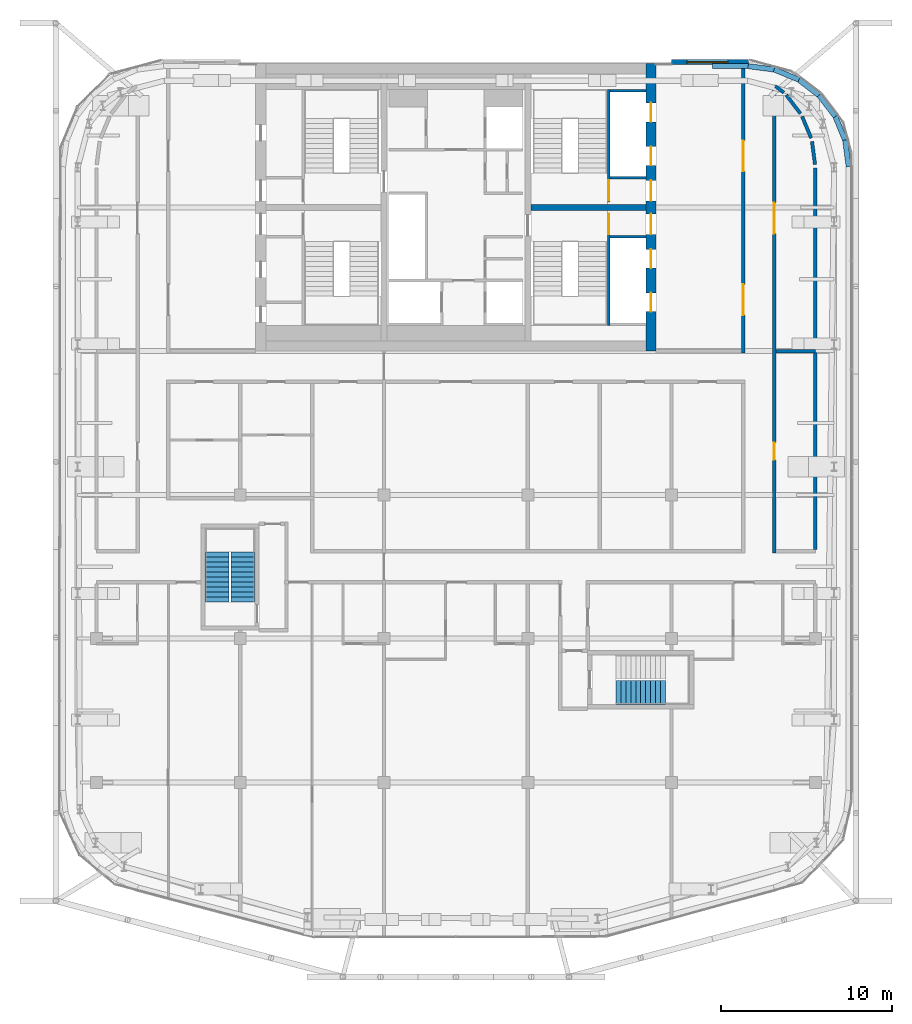
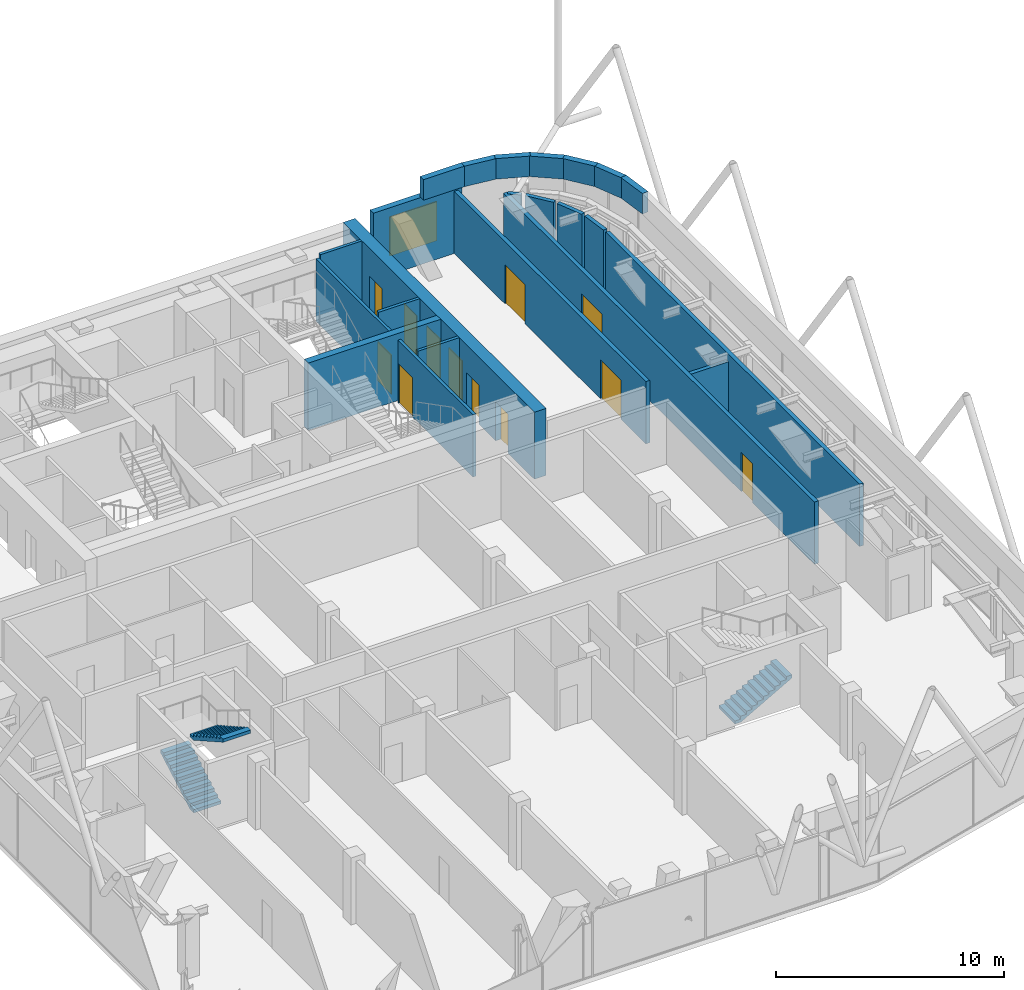
# One storey, part 23 of 25: 23 walls, 12 doors, 3 stair flights, 1 window, 13 openings, 2 elements without a shape of their own.
"""IFC4 building model written with IfcOpenShell, lengths in metres."""

import ifcopenshell
import ifcopenshell.guid

model = None  # the IFC model being written
_history = None  # IfcOwnerHistory: only IFC2X3 demands one
_inside = {}  # id of a spatial element -> (the spatial element, [elements in it])
_under = {}  # id of a project, library or spatial element -> (it, [spatial elements below it])
_declared = {}  # id of a project -> (the project, [libraries it declares])
_typed = {}  # id of a type object -> (the type object, [elements of that type])
_made_of = {}  # id of a material, layer set ... -> (it, [elements and type objects made of it])


def new_model(schema):
    """Start an empty IFC model of exactly this schema.

    Asked for "IFC4X3", IfcOpenShell would pick the latest addendum, in which some entities
    have other attributes; the version numbers below select the first issue.
    IFC2X3 requires an IfcOwnerHistory on every rooted entity: one is made here for all.
    """
    global model, _history
    if schema == "IFC4X3":
        model = ifcopenshell.file(schema_version=(4, 3, 0, 0))
    else:
        model = ifcopenshell.file(schema=schema)
    _inside.clear()
    _under.clear()
    _declared.clear()
    _typed.clear()
    _made_of.clear()
    _history = None
    if model.schema == "IFC2X3":
        org = make("IfcOrganization", Name="unknown")
        user = make(
            "IfcPersonAndOrganization",
            ThePerson=make("IfcPerson", FamilyName="unknown"),
            TheOrganization=org,
        )
        app = make(
            "IfcApplication",
            ApplicationDeveloper=org,
            Version="unknown",
            ApplicationFullName="unknown",
            ApplicationIdentifier="unknown",
        )
        _history = make(
            "IfcOwnerHistory",
            OwningUser=user,
            OwningApplication=app,
            ChangeAction="ADDED",
            CreationDate=0,
        )
    return model


def make(cls, **values):
    """One entity of the class cls with the attributes given. An attribute that is None is left unset."""
    return model.create_entity(
        cls, **{name: value for name, value in values.items() if value is not None}
    )


def rooted(cls, **values):
    """An entity with a GlobalId (a new one), such as an element, a storey or a relation."""
    return make(cls, GlobalId=ifcopenshell.guid.new(), OwnerHistory=_history, **values)


def si_unit(unit_type, name, prefix=None):
    """IfcSIUnit, for example si_unit("LENGTHUNIT", "METRE", prefix="MILLI")."""
    return make("IfcSIUnit", UnitType=unit_type, Prefix=prefix, Name=name)


def assignment(units):
    """IfcUnitAssignment: the units of a project."""
    return None if units is None else make("IfcUnitAssignment", Units=units)


def point(xyz):
    """IfcCartesianPoint."""
    return None if xyz is None else make("IfcCartesianPoint", Coordinates=xyz)


def direction(xyz):
    """IfcDirection."""
    return None if xyz is None else make("IfcDirection", DirectionRatios=xyz)


def frame(location, z_axis=None, x_axis=None):
    """IfcAxis2Placement3D, a coordinate frame: its origin and axes. An axis left out is left unset."""
    return make(
        "IfcAxis2Placement3D",
        Location=point(location),
        Axis=direction(z_axis),
        RefDirection=direction(x_axis),
    )


def frame_2d(location, x_axis=None):
    """IfcAxis2Placement2D, a coordinate frame in the plane: its origin and x axis."""
    return make(
        "IfcAxis2Placement2D", Location=point(location), RefDirection=direction(x_axis)
    )


def origin():
    """The frame at (0, 0, 0) with its axes left unset."""
    return frame((0.0, 0.0, 0.0))


def place(relative_to, where):
    """IfcLocalPlacement: puts the frame where relative to a parent placement (None: the world)."""
    return make(
        "IfcLocalPlacement", PlacementRelTo=relative_to, RelativePlacement=where
    )


def context(
    kind, dimensions, precision=None, world=None, true_north=None, identifier=None
):
    """IfcGeometricRepresentationContext, for example the 3D "Model" context."""
    return make(
        "IfcGeometricRepresentationContext",
        ContextIdentifier=identifier,
        ContextType=kind,
        CoordinateSpaceDimension=dimensions,
        Precision=precision,
        WorldCoordinateSystem=world,
        TrueNorth=true_north,
    )


def subcontext(parent, identifier, kind, view, scale=None):
    """IfcGeometricRepresentationSubContext, for example "Body" below "Model"."""
    return make(
        "IfcGeometricRepresentationSubContext",
        ContextIdentifier=identifier,
        ContextType=kind,
        ParentContext=parent,
        TargetScale=scale,
        TargetView=view,
    )


def project(units=None, contexts=None):
    """IfcProject with its units and contexts."""
    return rooted(
        "IfcProject",
        Name="project",
        RepresentationContexts=contexts,
        UnitsInContext=assignment(units),
    )


def spatial(cls, under=None, at=None, **own):
    """A site, building, storey or space (cls), placed at a placement, below another one or the project."""
    s = rooted(cls, ObjectPlacement=at, **own)
    if under is not None:
        _under.setdefault(under.id(), (under, []))[1].append(s)
    return s


def polyline(points):
    """IfcPolyline through the points."""
    return make("IfcPolyline", Points=[point(p) for p in points])


def profile(cls, at=None, kind="AREA", **sizes):
    """A parametric profile (cls). Its sizes go by their IFC names, for example OverallWidth=200.0."""
    return make(cls, ProfileType=kind, Position=at, **sizes)


def rectangle(**sizes):
    """IfcRectangleProfileDef."""
    return profile("IfcRectangleProfileDef", **sizes)


def outline(outer, holes=None, kind="AREA"):
    """IfcArbitraryClosedProfileDef: a profile drawn as a closed curve; with holes, ...WithVoids."""
    if holes is None:
        return make("IfcArbitraryClosedProfileDef", ProfileType=kind, OuterCurve=outer)
    return make(
        "IfcArbitraryProfileDefWithVoids",
        ProfileType=kind,
        OuterCurve=outer,
        InnerCurves=holes,
    )


def extrude(swept, where, along, depth):
    """IfcExtrudedAreaSolid: the profile swept, set in the frame where, extruded along a direction by depth."""
    return make(
        "IfcExtrudedAreaSolid",
        SweptArea=swept,
        Position=where,
        ExtrudedDirection=direction(along),
        Depth=depth,
    )


def shape(context_of_items, identifier, shape_type, items):
    """IfcShapeRepresentation: the items that make up one representation, for example the "Body"."""
    return make(
        "IfcShapeRepresentation",
        ContextOfItems=context_of_items,
        RepresentationIdentifier=identifier,
        RepresentationType=shape_type,
        Items=items,
    )


def material(Name=None, Category=None):
    """IfcMaterial."""
    return make("IfcMaterial", Name=Name, Category=Category)


def layer(
    of_material, thickness, ventilated=None, Name=None, Category=None, Priority=None
):
    """IfcMaterialLayer: one layer of a wall or slab, of a material (None: an air gap)."""
    return make(
        "IfcMaterialLayer",
        Material=of_material,
        LayerThickness=thickness,
        IsVentilated=ventilated,
        Name=Name,
        Category=Category,
        Priority=Priority,
    )


def layer_set(layers, Name=None):
    """IfcMaterialLayerSet."""
    return make("IfcMaterialLayerSet", MaterialLayers=layers, LayerSetName=Name)


def made_of(thing, what):
    """Note that an element or type object is made of a material, layer set ...; save() writes the relation."""
    if what is not None:
        _made_of.setdefault(what.id(), (what, []))[1].append(thing)
    return thing


def type_object(cls, material=None, **own):
    """A type object (cls), such as IfcWallType, which elements share."""
    return made_of(rooted(cls, **own), material)


def element(
    cls,
    number,
    at=None,
    inside=None,
    cuts=None,
    type_object=None,
    material=None,
    context=None,
    identifier="Body",
    shape_type=None,
    held_by="IfcProductDefinitionShape",
    body=None,
    shapes=None,
    **own,
):
    """One element of the class cls, such as IfcWall. Its Tag is "e" and its number.

    at: its placement. inside: the storey or other place that contains it. cuts: it is an
    opening in that element (IfcRelVoidsElement). A single representation is given by context,
    identifier, shape_type and body (its items); several are given by shapes. held_by: the class
    of the entity that holds the representations. save() writes the other relations.
    """
    e = rooted(cls, Tag="e%d" % number, ObjectPlacement=at, **own)
    if body is not None:
        shapes = [shape(context, identifier, shape_type, body)]
    if shapes is not None:
        e.Representation = make(held_by, Representations=shapes)
    if inside is not None:
        _inside.setdefault(inside.id(), (inside, []))[1].append(e)
    if cuts is not None:
        rooted(
            "IfcRelVoidsElement", RelatingBuildingElement=cuts, RelatedOpeningElement=e
        )
    if type_object is not None:
        _typed.setdefault(type_object.id(), (type_object, []))[1].append(e)
    return made_of(e, material)


def fill(opening, filler):
    """IfcRelFillsElement: the door or window that sits in an opening."""
    return rooted(
        "IfcRelFillsElement",
        RelatingOpeningElement=opening,
        RelatedBuildingElement=filler,
    )


def aggregate(whole, parts):
    """IfcRelAggregates: a whole, such as a stair, and the parts it consists of."""
    return rooted("IfcRelAggregates", RelatingObject=whole, RelatedObjects=parts)


def save(model, path):
    """Write the relations noted so far, then the file.

    IfcRelAggregates (storeys below a building ...), IfcRelContainedInSpatialStructure (elements
    in a storey), IfcRelDefinesByType, IfcRelAssociatesMaterial and IfcRelDeclares: one each for
    every whole, place, type object, material and project.
    """
    for whole, parts in _under.values():
        aggregate(whole, parts)
    for where, things in _inside.values():
        rooted(
            "IfcRelContainedInSpatialStructure",
            RelatedElements=things,
            RelatingStructure=where,
        )
    for kind, things in _typed.values():
        rooted("IfcRelDefinesByType", RelatedObjects=things, RelatingType=kind)
    for what, things in _made_of.values():
        rooted("IfcRelAssociatesMaterial", RelatedObjects=things, RelatingMaterial=what)
    for by, libraries in _declared.values():
        rooted("IfcRelDeclares", RelatingContext=by, RelatedDefinitions=libraries)
    model.write(path)


model = new_model("IFC4")

# Units and contexts
model_context = context("Model", 3, precision=1e-05, world=origin(), true_north=direction((0.0, 1.0)))
body_context = subcontext(model_context, "Body", "Model", "MODEL_VIEW")
ifc_project = project(units=[si_unit("LENGTHUNIT", "METRE"), si_unit("AREAUNIT", "SQUARE_METRE"), si_unit("VOLUMEUNIT", "CUBIC_METRE"), si_unit("PLANEANGLEUNIT", "RADIAN"), si_unit("MASSUNIT", "GRAM", prefix="KILO")], contexts=[model_context])

# Site, building, storey
site_placement = place(None, origin())
site = spatial("IfcSite", under=ifc_project, at=site_placement, CompositionType="ELEMENT")
building_placement = place(site_placement, origin())
building = spatial("IfcBuilding", under=site, at=building_placement, Name="Marenta Gate Hotel Tower", CompositionType="ELEMENT")
storey_placement = place(building_placement, frame((0.0, 0.0, 277.699951171875)))
storey = spatial("IfcBuildingStorey", under=building, at=storey_placement, Name="L64", CompositionType="ELEMENT", Elevation=277.699951171875)

# Wall, opening, window
ifc_material_1 = material(Name="Concrete C40 board-marked", Category="concrete")
ifc_layer_1 = layer(ifc_material_1, 0.300048828125)
ifc_layer_set_1 = layer_set([ifc_layer_1], Name="Concrete C40 board-marked")
wall_type_1 = type_object("IfcWallType", Name="Board-marked concrete wall 300 mm", PredefinedType="NOTDEFINED", material=ifc_layer_set_1)
wall_1_placement = place(storey_placement, frame((17.10595703125, 16.889892578125, 0.0), z_axis=(0.0, 0.0, 1.0), x_axis=(-1.0, 0.0, 0.0)))
wall_1 = element("IfcWall", 1, at=wall_1_placement, inside=storey, type_object=wall_type_1, Name="L64-CLD-N00", PredefinedType="NOTDEFINED", context=body_context, shape_type="SweptSolid", body=[
    extrude(rectangle(XDim=4.505859375, YDim=0.300048828125, at=frame_2d((2.2529296875, 0.0))), origin(), (0.0, 0.0, 1.0), 3.60009765625),
])
opening_1_placement = place(wall_1_placement, frame((1.205810546875, 0.0, 0.89990234375)))
opening_1 = element("IfcOpeningElement", 2, at=opening_1_placement, cuts=wall_1, Name="Opening W1", PredefinedType="OPENING", context=body_context, shape_type="SweptSolid", body=[
    extrude(rectangle(XDim=2.39990234375, YDim=2.10009765625, at=frame_2d((1.199951171875, 1.050048828125))), frame((0.0, 0.14990234375, 0.0), z_axis=(0.0, -1.0, 0.0), x_axis=(1.0, 0.0, 0.0)), (0.0, 0.0, 1.0), 0.300048828125),
])
ifc_material_2 = material(Name="Tinted insulated glass in bronze anodised frame", Category="glass")
window_type = type_object("IfcWindowType", Name="Window W1 2400x2100 bronze frame", PartitioningType="SINGLE_PANEL", PredefinedType="WINDOW", material=ifc_material_2)
window_placement = place(opening_1_placement, origin())
window = element("IfcWindow", 3, at=window_placement, inside=storey, type_object=window_type, Name="Window W1", OverallHeight=2.10009765625, OverallWidth=2.39990234375, PartitioningType="SINGLE_PANEL", PredefinedType="WINDOW", context=body_context, shape_type="SweptSolid", body=[
    extrude(rectangle(XDim=2.39990234375, YDim=2.10009765625, at=frame_2d((1.199951171875, 1.050048828125))), frame((0.0, 0.030029296875, 0.0), z_axis=(0.0, -1.0, 0.0), x_axis=(1.0, 0.0, 0.0)), (0.0, 0.0, 1.0), 0.06005859375),
])
fill(opening_1, window)

# Wall, openings, doors
ifc_material_3 = material(Name="Concrete blockwork", Category="masonry")
ifc_layer_2 = layer(ifc_material_3, 0.199951171875)
ifc_layer_set_2 = layer_set([ifc_layer_2], Name="Concrete blockwork")
wall_type_2 = type_object("IfcWallType", Name="Core boundary wall 200 REI 180", PredefinedType="PARTITIONING", material=ifc_layer_set_2)
wall_2_placement = place(storey_placement, frame((16.800048828125, -0.10009765625, 0.0), z_axis=(0.0, 0.0, 1.0), x_axis=(0.0, 1.0, 0.0)))
wall_2 = element("IfcWall", 4, at=wall_2_placement, inside=storey, type_object=wall_type_2, Name="L64-CP-BW-E", PredefinedType="PARTITIONING", context=body_context, shape_type="SweptSolid", body=[
    extrude(rectangle(XDim=17.0, YDim=0.199951171875, at=frame_2d((8.5, 0.0))), origin(), (0.0, 0.0, 1.0), 3.340087890625),
])
opening_2_placement = place(wall_2_placement, frame((2.199951171875, 0.0, 0.0)))
opening_2 = element("IfcOpeningElement", 5, at=opening_2_placement, cuts=wall_2, Name="Opening ED-Ea-B", PredefinedType="OPENING", context=body_context, shape_type="SweptSolid", body=[
    extrude(rectangle(XDim=1.800048828125, YDim=2.10009765625, at=frame_2d((0.89990234375, 1.050048828125))), frame((0.0, 0.10009765625, 0.0), z_axis=(0.0, -1.0, 0.0), x_axis=(1.0, 0.0, 0.0)), (0.0, 0.0, 1.0), 0.199951171875),
])
opening_3_placement = place(wall_2_placement, frame((10.60009765625, 0.0, 0.0)))
opening_3 = element("IfcOpeningElement", 6, at=opening_3_placement, cuts=wall_2, Name="Opening ED-Eb-B", PredefinedType="OPENING", context=body_context, shape_type="SweptSolid", body=[
    extrude(rectangle(XDim=1.800048828125, YDim=2.10009765625, at=frame_2d((0.89990234375, 1.050048828125))), frame((0.0, 0.10009765625, 0.0), z_axis=(0.0, -1.0, 0.0), x_axis=(1.0, 0.0, 0.0)), (0.0, 0.0, 1.0), 0.199951171875),
])
ifc_material_4 = material(Name="Steel", Category="steel")
door_type_1 = type_object("IfcDoorType", Name="Core lobby entrance door 1800x2100 EI 60", OperationType="DOUBLE_DOOR_SINGLE_SWING", PredefinedType="DOOR", material=ifc_material_4)
door_1_placement = place(opening_2_placement, origin())
door_1 = element("IfcDoor", 7, at=door_1_placement, inside=storey, type_object=door_type_1, Name="ED-Ea-B", OperationType="DOUBLE_DOOR_SINGLE_SWING", OverallHeight=2.10009765625, OverallWidth=1.800048828125, PredefinedType="DOOR", context=body_context, shape_type="SweptSolid", body=[
    extrude(rectangle(XDim=1.800048828125, YDim=2.10009765625, at=frame_2d((0.89990234375, 1.050048828125))), frame((0.0, 0.02490234375, 0.0), z_axis=(0.0, -1.0, 0.0), x_axis=(1.0, 0.0, 0.0)), (0.0, 0.0, 1.0), 0.050048828125),
])
fill(opening_2, door_1)
door_2_placement = place(opening_3_placement, origin())
door_2 = element("IfcDoor", 8, at=door_2_placement, inside=storey, type_object=door_type_1, Name="ED-Eb-B", OperationType="DOUBLE_DOOR_SINGLE_SWING", OverallHeight=2.10009765625, OverallWidth=1.800048828125, PredefinedType="DOOR", context=body_context, shape_type="SweptSolid", body=[
    extrude(rectangle(XDim=1.800048828125, YDim=2.10009765625, at=frame_2d((0.89990234375, 1.050048828125))), frame((0.0, 0.02490234375, 0.0), z_axis=(0.0, -1.0, 0.0), x_axis=(1.0, 0.0, 0.0)), (0.0, 0.0, 1.0), 0.050048828125),
])
fill(opening_3, door_2)

# Walls
ifc_material_5 = material(Name="Concrete C40", Category="concrete")
ifc_layer_3 = layer(ifc_material_5, 0.14990234375)
ifc_layer_set_3 = layer_set([ifc_layer_3], Name="Concrete C40")
wall_type_3 = type_object("IfcWallType", Name="Core shaft wall 150 REI 180", PredefinedType="SHEAR", material=ifc_layer_set_3)
for number, where, z_axis, x_axis, name in (
    (9, (9.0, 6.675048828125, 0.0), (0.0, 0.0, 1.0), (1.0, 0.0, 0.0), "L64-SHF-SW-ES-2"),
    (10, (9.0, 10.125, 0.0), (0.0, 0.0, 1.0), (1.0, 0.0, 0.0), "L64-SHF-SW-EN-2"),
    (11, (9.0, 15.22509765625, 0.0), (0.0, 0.0, 1.0), (1.0, 0.0, 0.0), "L64-SHF-SW-EN-5"),
):
    element("IfcWall", number, at=place(storey_placement, frame(where, z_axis=z_axis, x_axis=x_axis)), inside=storey, type_object=wall_type_3, Name=name, PredefinedType="SHEAR", context=body_context, shape_type="SweptSolid", body=[
        extrude(rectangle(XDim=2.10009765625, YDim=0.14990234375, at=frame_2d((1.050048828125, 0.0))), origin(), (0.0, 0.0, 1.0), 3.60009765625),
    ])

# Wall, opening, door
ifc_material_6 = material(Name="Concrete C40", Category="concrete")
ifc_layer_4 = layer(ifc_material_6, 0.14990234375)
ifc_layer_set_4 = layer_set([ifc_layer_4], Name="Concrete C40")
wall_type_4 = type_object("IfcWallType", Name="Core stair enclosure wall 150 REI 180", PredefinedType="SHEAR", material=ifc_layer_set_4)
wall_3_placement = place(storey_placement, frame((8.925048828125, 1.5, 0.0), z_axis=(0.0, 0.0, 1.0), x_axis=(0.0, 1.0, 0.0)))
wall_3 = element("IfcWall", 12, at=wall_3_placement, inside=storey, type_object=wall_type_4, Name="L64-SHF-SW-ES-3", PredefinedType="SHEAR", context=body_context, shape_type="SweptSolid", body=[
    extrude(rectangle(XDim=6.60009765625, YDim=0.14990234375, at=frame_2d((3.300048828125, 0.0))), origin(), (0.0, 0.0, 1.0), 3.340087890625),
])
opening_4_placement = place(wall_3_placement, frame((5.324951171875, 0.0, 0.0)))
opening_4 = element("IfcOpeningElement", 13, at=opening_4_placement, cuts=wall_3, Name="Opening SD-ES", PredefinedType="OPENING", context=body_context, shape_type="SweptSolid", body=[
    extrude(rectangle(XDim=1.199951171875, YDim=2.10009765625, at=frame_2d((0.60009765625, 1.050048828125))), frame((0.0, 0.074951171875, 0.0), z_axis=(0.0, -1.0, 0.0), x_axis=(1.0, 0.0, 0.0)), (0.0, 0.0, 1.0), 0.14990234375),
])
ifc_material_7 = material(Name="Steel", Category="steel")
door_type_2 = type_object("IfcDoorType", Name="Core stair door 1200x2100 FD60", OperationType="SINGLE_SWING_LEFT", PredefinedType="DOOR", material=ifc_material_7)
door_3_placement = place(opening_4_placement, origin())
door_3 = element("IfcDoor", 14, at=door_3_placement, inside=storey, type_object=door_type_2, Name="SD-ES", OperationType="SINGLE_SWING_LEFT", OverallHeight=2.10009765625, OverallWidth=1.199951171875, PredefinedType="DOOR", context=body_context, shape_type="SweptSolid", body=[
    extrude(rectangle(XDim=1.199951171875, YDim=2.10009765625, at=frame_2d((0.60009765625, 1.050048828125))), frame((0.0, 0.02490234375, 0.0), z_axis=(0.0, -1.0, 0.0), x_axis=(1.0, 0.0, 0.0)), (0.0, 0.0, 1.0), 0.050048828125),
])
fill(opening_4, door_3)

wall_4_placement = place(storey_placement, frame((8.925048828125, 8.699951171875, 0.0), z_axis=(0.0, 0.0, 1.0), x_axis=(0.0, 1.0, 0.0)))
wall_4 = element("IfcWall", 15, at=wall_4_placement, inside=storey, type_object=wall_type_4, Name="L64-SHF-SW-EN-3", PredefinedType="SHEAR", context=body_context, shape_type="SweptSolid", body=[
    extrude(rectangle(XDim=6.60009765625, YDim=0.14990234375, at=frame_2d((3.300048828125, 0.0))), origin(), (0.0, 0.0, 1.0), 3.340087890625),
])
opening_5_placement = place(wall_4_placement, frame((0.074951171875, 0.0, 0.0)))
opening_5 = element("IfcOpeningElement", 16, at=opening_5_placement, cuts=wall_4, Name="Opening SD-EN", PredefinedType="OPENING", context=body_context, shape_type="SweptSolid", body=[
    extrude(rectangle(XDim=1.199951171875, YDim=2.10009765625, at=frame_2d((0.60009765625, 1.050048828125))), frame((0.0, 0.074951171875, 0.0), z_axis=(0.0, -1.0, 0.0), x_axis=(1.0, 0.0, 0.0)), (0.0, 0.0, 1.0), 0.14990234375),
])
door_4_placement = place(opening_5_placement, origin())
door_4 = element("IfcDoor", 17, at=door_4_placement, inside=storey, type_object=door_type_2, Name="SD-EN", OperationType="SINGLE_SWING_LEFT", OverallHeight=2.10009765625, OverallWidth=1.199951171875, PredefinedType="DOOR", context=body_context, shape_type="SweptSolid", body=[
    extrude(rectangle(XDim=1.199951171875, YDim=2.10009765625, at=frame_2d((0.60009765625, 1.050048828125))), frame((0.0, 0.02490234375, 0.0), z_axis=(0.0, -1.0, 0.0), x_axis=(1.0, 0.0, 0.0)), (0.0, 0.0, 1.0), 0.050048828125),
])
fill(opening_5, door_4)

# Wall, openings, doors
ifc_material_8 = material(Name="Concrete C50", Category="concrete")
ifc_layer_5 = layer(ifc_material_8, 0.60009765625)
ifc_layer_set_5 = layer_set([ifc_layer_5], Name="Concrete C50")
wall_type_5 = type_object("IfcWallType", Name="Core wall 600 C50", PredefinedType="SHEAR", material=ifc_layer_set_5)
wall_5_placement = place(storey_placement, frame((11.39990234375, 0.0, 0.0), z_axis=(0.0, 0.0, 1.0), x_axis=(0.0, 1.0, 0.0)))
wall_5 = element("IfcWall", 18, at=wall_5_placement, inside=storey, type_object=wall_type_5, Name="L64-CORE-E", PredefinedType="SHEAR", context=body_context, shape_type="SweptSolid", body=[
    extrude(rectangle(XDim=16.800048828125, YDim=0.60009765625, at=frame_2d((8.39990234375, 0.0))), origin(), (0.0, 0.0, 1.0), 3.60009765625),
])
opening_6_placement = place(wall_5_placement, frame((2.300048828125, 0.0, 0.0)))
opening_6 = element("IfcOpeningElement", 19, at=opening_6_placement, cuts=wall_5, Name="Opening LD-HR1", PredefinedType="OPENING", context=body_context, shape_type="SweptSolid", body=[
    extrude(rectangle(XDim=1.10009765625, YDim=2.10009765625, at=frame_2d((0.550048828125, 1.050048828125))), frame((0.0, 0.300048828125, 0.0), z_axis=(0.0, -1.0, 0.0), x_axis=(1.0, 0.0, 0.0)), (0.0, 0.0, 1.0), 0.60009765625),
])
opening_7_placement = place(wall_5_placement, frame((4.85009765625, 0.0, 0.0)))
opening_7 = element("IfcOpeningElement", 20, at=opening_7_placement, cuts=wall_5, Name="Opening LD-HR2", PredefinedType="OPENING", context=body_context, shape_type="SweptSolid", body=[
    extrude(rectangle(XDim=1.10009765625, YDim=2.10009765625, at=frame_2d((0.550048828125, 1.050048828125))), frame((0.0, 0.300048828125, 0.0), z_axis=(0.0, -1.0, 0.0), x_axis=(1.0, 0.0, 0.0)), (0.0, 0.0, 1.0), 0.60009765625),
])
opening_8_placement = place(wall_5_placement, frame((6.824951171875, 0.0, 0.0)))
opening_8 = element("IfcOpeningElement", 21, at=opening_8_placement, cuts=wall_5, Name="Opening PD-ES", PredefinedType="OPENING", context=body_context, shape_type="SweptSolid", body=[
    extrude(rectangle(XDim=1.199951171875, YDim=2.10009765625, at=frame_2d((0.60009765625, 1.050048828125))), frame((0.0, 0.300048828125, 0.0), z_axis=(0.0, -1.0, 0.0), x_axis=(1.0, 0.0, 0.0)), (0.0, 0.0, 1.0), 0.60009765625),
])
opening_9_placement = place(wall_5_placement, frame((13.39990234375, 0.0, 0.0)))
opening_9 = element("IfcOpeningElement", 22, at=opening_9_placement, cuts=wall_5, Name="Opening LD-HR4", PredefinedType="OPENING", context=body_context, shape_type="SweptSolid", body=[
    extrude(rectangle(XDim=1.10009765625, YDim=2.10009765625, at=frame_2d((0.550048828125, 1.050048828125))), frame((0.0, 0.300048828125, 0.0), z_axis=(0.0, -1.0, 0.0), x_axis=(1.0, 0.0, 0.0)), (0.0, 0.0, 1.0), 0.60009765625),
])
opening_10_placement = place(wall_5_placement, frame((10.85009765625, 0.0, 0.0)))
opening_10 = element("IfcOpeningElement", 23, at=opening_10_placement, cuts=wall_5, Name="Opening LD-HR3", PredefinedType="OPENING", context=body_context, shape_type="SweptSolid", body=[
    extrude(rectangle(XDim=1.10009765625, YDim=2.10009765625, at=frame_2d((0.550048828125, 1.050048828125))), frame((0.0, 0.300048828125, 0.0), z_axis=(0.0, -1.0, 0.0), x_axis=(1.0, 0.0, 0.0)), (0.0, 0.0, 1.0), 0.60009765625),
])
opening_11_placement = place(wall_5_placement, frame((8.77490234375, 0.0, 0.0)))
opening_11 = element("IfcOpeningElement", 24, at=opening_11_placement, cuts=wall_5, Name="Opening PD-EN", PredefinedType="OPENING", context=body_context, shape_type="SweptSolid", body=[
    extrude(rectangle(XDim=1.199951171875, YDim=2.10009765625, at=frame_2d((0.60009765625, 1.050048828125))), frame((0.0, 0.300048828125, 0.0), z_axis=(0.0, -1.0, 0.0), x_axis=(1.0, 0.0, 0.0)), (0.0, 0.0, 1.0), 0.60009765625),
])
ifc_material_9 = material(Name="Steel", Category="steel")
door_type_3 = type_object("IfcDoorType", Name="Core lift landing door 1100x2100 E 60", OperationType="SLIDING_TO_LEFT", PredefinedType="DOOR", material=ifc_material_9)
door_5_placement = place(opening_6_placement, origin())
door_5 = element("IfcDoor", 25, at=door_5_placement, inside=storey, type_object=door_type_3, Name="LD-HR1", OperationType="SLIDING_TO_LEFT", OverallHeight=2.10009765625, OverallWidth=1.10009765625, PredefinedType="DOOR", context=body_context, shape_type="SweptSolid", body=[
    extrude(rectangle(XDim=1.10009765625, YDim=2.10009765625, at=frame_2d((0.550048828125, 1.050048828125))), frame((0.0, 0.02490234375, 0.0), z_axis=(0.0, -1.0, 0.0), x_axis=(1.0, 0.0, 0.0)), (0.0, 0.0, 1.0), 0.050048828125),
])
fill(opening_6, door_5)
door_6_placement = place(opening_7_placement, origin())
door_6 = element("IfcDoor", 26, at=door_6_placement, inside=storey, type_object=door_type_3, Name="LD-HR2", OperationType="SLIDING_TO_LEFT", OverallHeight=2.10009765625, OverallWidth=1.10009765625, PredefinedType="DOOR", context=body_context, shape_type="SweptSolid", body=[
    extrude(rectangle(XDim=1.10009765625, YDim=2.10009765625, at=frame_2d((0.550048828125, 1.050048828125))), frame((0.0, 0.02490234375, 0.0), z_axis=(0.0, -1.0, 0.0), x_axis=(1.0, 0.0, 0.0)), (0.0, 0.0, 1.0), 0.050048828125),
])
fill(opening_7, door_6)
door_7_placement = place(opening_9_placement, origin())
door_7 = element("IfcDoor", 27, at=door_7_placement, inside=storey, type_object=door_type_3, Name="LD-HR4", OperationType="SLIDING_TO_LEFT", OverallHeight=2.10009765625, OverallWidth=1.10009765625, PredefinedType="DOOR", context=body_context, shape_type="SweptSolid", body=[
    extrude(rectangle(XDim=1.10009765625, YDim=2.10009765625, at=frame_2d((0.550048828125, 1.050048828125))), frame((0.0, 0.02490234375, 0.0), z_axis=(0.0, -1.0, 0.0), x_axis=(1.0, 0.0, 0.0)), (0.0, 0.0, 1.0), 0.050048828125),
])
fill(opening_9, door_7)
door_8_placement = place(opening_10_placement, origin())
door_8 = element("IfcDoor", 28, at=door_8_placement, inside=storey, type_object=door_type_3, Name="LD-HR3", OperationType="SLIDING_TO_LEFT", OverallHeight=2.10009765625, OverallWidth=1.10009765625, PredefinedType="DOOR", context=body_context, shape_type="SweptSolid", body=[
    extrude(rectangle(XDim=1.10009765625, YDim=2.10009765625, at=frame_2d((0.550048828125, 1.050048828125))), frame((0.0, 0.02490234375, 0.0), z_axis=(0.0, -1.0, 0.0), x_axis=(1.0, 0.0, 0.0)), (0.0, 0.0, 1.0), 0.050048828125),
])
fill(opening_10, door_8)
ifc_material_10 = material(Name="Steel", Category="steel")
door_type_4 = type_object("IfcDoorType", Name="Core lobby door 1200x2100 FD60", OperationType="SINGLE_SWING_LEFT", PredefinedType="DOOR", material=ifc_material_10)
door_9_placement = place(opening_8_placement, origin())
door_9 = element("IfcDoor", 29, at=door_9_placement, inside=storey, type_object=door_type_4, Name="PD-ES", OperationType="SINGLE_SWING_LEFT", OverallHeight=2.10009765625, OverallWidth=1.199951171875, PredefinedType="DOOR", context=body_context, shape_type="SweptSolid", body=[
    extrude(rectangle(XDim=1.199951171875, YDim=2.10009765625, at=frame_2d((0.60009765625, 1.050048828125))), frame((0.0, 0.02490234375, 0.0), z_axis=(0.0, -1.0, 0.0), x_axis=(1.0, 0.0, 0.0)), (0.0, 0.0, 1.0), 0.050048828125),
])
fill(opening_8, door_9)
door_10_placement = place(opening_11_placement, origin())
door_10 = element("IfcDoor", 30, at=door_10_placement, inside=storey, type_object=door_type_4, Name="PD-EN", OperationType="SINGLE_SWING_LEFT", OverallHeight=2.10009765625, OverallWidth=1.199951171875, PredefinedType="DOOR", context=body_context, shape_type="SweptSolid", body=[
    extrude(rectangle(XDim=1.199951171875, YDim=2.10009765625, at=frame_2d((0.60009765625, 1.050048828125))), frame((0.0, 0.02490234375, 0.0), z_axis=(0.0, -1.0, 0.0), x_axis=(1.0, 0.0, 0.0)), (0.0, 0.0, 1.0), 0.050048828125),
])
fill(opening_11, door_10)

# Walls
ifc_material_11 = material(Name="Concrete C50", Category="concrete")
ifc_layer_6 = layer(ifc_material_11, 0.35009765625)
ifc_layer_set_6 = layer_set([ifc_layer_6], Name="Concrete C50")
wall_type_6 = type_object("IfcWallType", Name="Core web 350 C50", PredefinedType="SHEAR", material=ifc_layer_set_6)
wall_6_placement = place(storey_placement, frame((4.375, 8.39990234375, 0.0), z_axis=(0.0, 0.0, 1.0), x_axis=(1.0, 0.0, 0.0)))
element("IfcWall", 31, at=wall_6_placement, inside=storey, type_object=wall_type_6, Name="L64-CORE-W4", PredefinedType="SHEAR", context=body_context, shape_type="SweptSolid", body=[
    extrude(rectangle(XDim=6.72509765625, YDim=0.35009765625, at=frame_2d((3.362548828125, 0.0))), origin(), (0.0, 0.0, 1.0), 3.60009765625),
])
ifc_material_12 = material(Name="Concrete C40 board-marked", Category="concrete")
ifc_layer_7 = layer(ifc_material_12, 0.300048828125)
ifc_layer_set_7 = layer_set([ifc_layer_7], Name="Concrete C40 board-marked")
wall_type_7 = type_object("IfcWallType", Name="Parapet 300 mm board-marked concrete", PredefinedType="PARAPET", material=ifc_layer_set_7)
wall_7_placement = place(storey_placement, frame((17.080322265625, 16.6513671875, 3.60009765625), z_axis=(0.0, 0.0, 1.0), x_axis=(0.991453765022, -0.130458544462, 0.0)))
element("IfcWall", 32, at=wall_7_placement, inside=storey, type_object=wall_type_7, Name="L64-PAR-10000", PredefinedType="PARAPET", context=body_context, shape_type="SweptSolid", body=[
    extrude(rectangle(XDim=1.56640625, YDim=0.300048828125, at=frame_2d((0.783203125, 0.0))), origin(), (0.0, 0.0, 1.0), 1.099853515625),
])
for number, where, z_axis, x_axis, name in (
    (33, (18.595458984375, 16.45703125, 3.60009765625), (0.0, 0.0, 1.0), (0.923881945474, -0.382677606907, 0.0), "L64-PAR-10010"),
    (34, (20.0087890625, 15.877197265625, 3.60009765625), (0.0, 0.0, 1.0), (0.793272556524, -0.608866694003, 0.0), "L64-PAR-10020"),
):
    element("IfcWall", number, at=place(storey_placement, frame(where, z_axis=z_axis, x_axis=x_axis)), inside=storey, type_object=wall_type_7, Name=name, PredefinedType="PARAPET", context=body_context, shape_type="SweptSolid", body=[
        extrude(rectangle(XDim=1.566162109375, YDim=0.300048828125, at=frame_2d((0.783203125, 0.0))), origin(), (0.0, 0.0, 1.0), 1.099853515625),
    ])
for number, where, z_axis, x_axis, name in (
    (35, (21.2236328125, 14.951416015625, 3.60009765625), (0.0, 0.0, 1.0), (0.608791411033, -0.793330333374, 0.0), "L64-PAR-10030"),
    (36, (22.15771484375, 13.74267578125, 3.60009765625), (0.0, 0.0, 1.0), (0.382622504077, -0.923904767481, 0.0), "L64-PAR-10040"),
):
    element("IfcWall", number, at=place(storey_placement, frame(where, z_axis=z_axis, x_axis=x_axis)), inside=storey, type_object=wall_type_7, Name=name, PredefinedType="PARAPET", context=body_context, shape_type="SweptSolid", body=[
        extrude(rectangle(XDim=1.56640625, YDim=0.300048828125, at=frame_2d((0.783203125, 0.0))), origin(), (0.0, 0.0, 1.0), 1.099853515625),
    ])
wall_8_placement = place(storey_placement, frame((22.746826171875, 12.333251953125, 3.60009765625), z_axis=(0.0, 0.0, 1.0), x_axis=(0.130631937531, -0.991430934002, 0.0)))
element("IfcWall", 37, at=wall_8_placement, inside=storey, type_object=wall_type_7, Name="L64-PAR-10050", PredefinedType="PARAPET", context=body_context, shape_type="SweptSolid", body=[
    extrude(rectangle(XDim=1.566162109375, YDim=0.300048828125, at=frame_2d((0.783203125, 0.0))), origin(), (0.0, 0.0, 1.0), 1.099853515625),
])
wall_9_placement = place(storey_placement, frame((15.0, 16.64990234375, 3.60009765625), z_axis=(0.0, 0.0, 1.0), x_axis=(1.0, 0.0, 0.0)))
element("IfcWall", 38, at=wall_9_placement, inside=storey, type_object=wall_type_7, Name="L64-PAR-11010", PredefinedType="PARAPET", context=body_context, shape_type="SweptSolid", body=[
    extrude(rectangle(XDim=2.10009765625, YDim=0.300048828125, at=frame_2d((1.050048828125, 0.0))), origin(), (0.0, 0.0, 1.0), 1.099853515625),
])

# Wall, openings, doors
ifc_material_13 = material(Name="Gypsum board on steel stud", Category="steel")
ifc_layer_8 = layer(ifc_material_13, 0.199951171875)
ifc_layer_set_8 = layer_set([ifc_layer_8], Name="Gypsum board on steel stud")
wall_type_8 = type_object("IfcWallType", Name="Room corridor wall 200 EI 60", PredefinedType="PARTITIONING", material=ifc_layer_set_8)
wall_10_placement = place(storey_placement, frame((18.60009765625, -11.800048828125, 0.0), z_axis=(0.0, 0.0, 1.0), x_axis=(0.0, 1.0, 0.0)))
wall_10 = element("IfcWall", 39, at=wall_10_placement, inside=storey, type_object=wall_type_8, Name="L64-PTN-W005", PredefinedType="PARTITIONING", context=body_context, shape_type="SweptSolid", body=[
    extrude(rectangle(XDim=27.3359375, YDim=0.199951171875, at=frame_2d((13.66796875, 0.0))), origin(), (0.0, 0.0, 1.0), 3.340087890625),
])
opening_12_placement = place(wall_10_placement, frame((18.66796875, 0.0, 0.0)))
opening_12 = element("IfcOpeningElement", 40, at=opening_12_placement, cuts=wall_10, Name="Opening G23-10", PredefinedType="OPENING", context=body_context, shape_type="SweptSolid", body=[
    extrude(rectangle(XDim=1.800048828125, YDim=2.10009765625, at=frame_2d((0.89990234375, 1.050048828125))), frame((0.0, 0.10009765625, 0.0), z_axis=(0.0, -1.0, 0.0), x_axis=(1.0, 0.0, 0.0)), (0.0, 0.0, 1.0), 0.199951171875),
])
opening_13_placement = place(wall_10_placement, frame((5.449951171875, 0.0, 0.0)))
opening_13 = element("IfcOpeningElement", 41, at=opening_13_placement, cuts=wall_10, Name="Opening G23-28", PredefinedType="OPENING", context=body_context, shape_type="SweptSolid", body=[
    extrude(rectangle(XDim=1.0, YDim=2.10009765625, at=frame_2d((0.5, 1.050048828125))), frame((0.0, 0.10009765625, 0.0), z_axis=(0.0, -1.0, 0.0), x_axis=(1.0, 0.0, 0.0)), (0.0, 0.0, 1.0), 0.199951171875),
])
ifc_material_14 = material(Name="Timber door leaf", Category="wood")
door_type_5 = type_object("IfcDoorType", Name="Room amenity door 1000x2100 EI 30", OperationType="NOTDEFINED", PredefinedType="DOOR", material=ifc_material_14)
door_11_placement = place(opening_13_placement, origin())
door_11 = element("IfcDoor", 42, at=door_11_placement, inside=storey, type_object=door_type_5, Name="L64-PD-D028", OperationType="SINGLE_SWING_LEFT", OverallHeight=2.10009765625, OverallWidth=1.0, PredefinedType="DOOR", context=body_context, shape_type="SweptSolid", body=[
    extrude(rectangle(XDim=1.0, YDim=2.10009765625, at=frame_2d((0.5, 1.050048828125))), frame((0.0, 0.02490234375, 0.0), z_axis=(0.0, -1.0, 0.0), x_axis=(1.0, 0.0, 0.0)), (0.0, 0.0, 1.0), 0.050048828125),
])
fill(opening_13, door_11)
ifc_material_15 = material(Name="Timber door leaf", Category="wood")
door_type_6 = type_object("IfcDoorType", Name="Room amenity door 1800x2100 EI 30", OperationType="DOUBLE_DOOR_SINGLE_SWING", PredefinedType="DOOR", material=ifc_material_15)
door_12_placement = place(opening_12_placement, origin())
door_12 = element("IfcDoor", 43, at=door_12_placement, inside=storey, type_object=door_type_6, Name="L64-PD-D010", OperationType="DOUBLE_DOOR_SINGLE_SWING", OverallHeight=2.10009765625, OverallWidth=1.800048828125, PredefinedType="DOOR", context=body_context, shape_type="SweptSolid", body=[
    extrude(rectangle(XDim=1.800048828125, YDim=2.10009765625, at=frame_2d((0.89990234375, 1.050048828125))), frame((0.0, 0.02490234375, 0.0), z_axis=(0.0, -1.0, 0.0), x_axis=(1.0, 0.0, 0.0)), (0.0, 0.0, 1.0), 0.050048828125),
])
fill(opening_12, door_12)

# Walls
wall_11_placement = place(storey_placement, frame((18.678955078125, 15.47509765625, 0.0), z_axis=(0.0, 0.0, 1.0), x_axis=(0.794663000987, -0.607050833837, 0.0)))
element("IfcWall", 44, at=wall_11_placement, inside=storey, type_object=wall_type_8, Name="L64-PTN-W060", PredefinedType="PARTITIONING", context=body_context, shape_type="SweptSolid", body=[
    extrude(rectangle(XDim=0.61279296875, YDim=0.199951171875, at=frame_2d((0.306396484375, 0.0))), origin(), (0.0, 0.0, 1.0), 3.340087890625),
])
ifc_material_16 = material(Name="Gypsum board on steel stud", Category="steel")
ifc_layer_9 = layer(ifc_material_16, 0.199951171875)
ifc_layer_set_9 = layer_set([ifc_layer_9], Name="Gypsum board on steel stud")
wall_type_9 = type_object("IfcWallType", Name="Room party wall 200 EI 60", PredefinedType="PARTITIONING", material=ifc_layer_set_9)
wall_12_placement = place(storey_placement, frame((21.0, -11.60009765625, 0.0), z_axis=(0.0, 0.0, 1.0), x_axis=(0.0, 1.0, 0.0)))
element("IfcWall", 45, at=wall_12_placement, inside=storey, type_object=wall_type_9, Name="L64-PTN-W002", PredefinedType="PARTITIONING", context=body_context, shape_type="SweptSolid", body=[
    extrude(rectangle(XDim=22.302001953125, YDim=0.199951171875, at=frame_2d((11.15087890625, 0.0))), origin(), (0.0, 0.0, 1.0), 3.340087890625),
])
wall_13_placement = place(storey_placement, frame((18.699951171875, 0.0, 0.0), z_axis=(0.0, 0.0, 1.0), x_axis=(1.0, 0.0, 0.0)))
element("IfcWall", 46, at=wall_13_placement, inside=storey, type_object=wall_type_9, Name="L64-PTN-W038", PredefinedType="PARTITIONING", context=body_context, shape_type="SweptSolid", body=[
    extrude(rectangle(XDim=2.300048828125, YDim=0.199951171875, at=frame_2d((1.14990234375, 0.0))), origin(), (0.0, 0.0, 1.0), 2.93994140625),
])
wall_14_placement = place(storey_placement, frame((20.80908203125, 12.256103515625, 0.0), z_axis=(0.0, 0.0, 1.0), x_axis=(0.129841713905, -0.991534734303, 0.0)))
element("IfcWall", 47, at=wall_14_placement, inside=storey, type_object=wall_type_9, Name="L64-PTN-W057", PredefinedType="PARTITIONING", context=body_context, shape_type="SweptSolid", body=[
    extrude(rectangle(XDim=1.370849609375, YDim=0.199951171875, at=frame_2d((0.685546875, 0.0))), origin(), (0.0, 0.0, 1.0), 3.340087890625),
])
wall_15_placement = place(storey_placement, frame((20.23291015625, 13.7099609375, 0.0), z_axis=(0.0, 0.0, 1.0), x_axis=(0.383540942064, -0.923523873953, 0.0)))
element("IfcWall", 48, at=wall_15_placement, inside=storey, type_object=wall_type_9, Name="L64-PTN-W061", PredefinedType="PARTITIONING", context=body_context, shape_type="SweptSolid", body=[
    extrude(rectangle(XDim=1.371826171875, YDim=0.199951171875, at=frame_2d((0.68603515625, 0.0))), origin(), (0.0, 0.0, 1.0), 3.340087890625),
])
wall_16_placement = place(storey_placement, frame((19.302978515625, 14.966064453125, 0.0), z_axis=(0.0, 0.0, 1.0), x_axis=(0.607522804237, -0.794302236137, 0.0)))
element("IfcWall", 49, at=wall_16_placement, inside=storey, type_object=wall_type_9, Name="L64-PTN-W064", PredefinedType="PARTITIONING", context=body_context, shape_type="SweptSolid", body=[
    extrude(rectangle(XDim=1.37109375, YDim=0.199951171875, at=frame_2d((0.685546875, 0.0))), origin(), (0.0, 0.0, 1.0), 3.340087890625),
])

# Stair, stair flight
ifc_material_17 = material(Name="Concrete C40", Category="concrete")
stair_type = type_object("IfcStairType", Name="Remote exit stair 1400 wide", PredefinedType="HALF_TURN_STAIR", material=ifc_material_17)
stair_1_placement = place(storey_placement, origin())
stair_1 = element("IfcStair", 50, at=stair_1_placement, inside=storey, type_object=stair_type, Name="Exit stair RS-Z4-1", PredefinedType="HALF_TURN_STAIR")
ifc_material_18 = material(Name="Concrete C40", Category="concrete")
stair_flight_type = type_object("IfcStairFlightType", Name="Remote stair flight 1400 riser 163.6 going 290", PredefinedType="STRAIGHT", material=ifc_material_18)
stair_flight_1_placement = place(storey_placement, frame((9.35009765625, -19.949951171875, 0.0), z_axis=(0.0, 0.0, 1.0), x_axis=(1.0, 0.0, 0.0)))
stair_flight_1 = element("IfcStairFlight", 51, at=stair_flight_1_placement, type_object=stair_flight_type, Name="RS-Z4-1 flight 1", NumberOfRisers=11, NumberOfTreads=10, PredefinedType="STRAIGHT", RiserHeight=0.163636, TreadLength=0.29, context=body_context, shape_type="SweptSolid", body=[
    extrude(outline(polyline([(0.0, 0.0), (0.0, 0.16357421875), (0.2900390625, 0.16357421875), (0.2900390625, 0.327392578125), (0.580078125, 0.327392578125), (0.580078125, 0.490966796875), (0.8701171875, 0.490966796875), (0.8701171875, 0.654541015625), (1.159912109375, 0.654541015625), (1.159912109375, 0.818115234375), (1.449951171875, 0.818115234375), (1.449951171875, 0.98193359375), (1.739990234375, 0.98193359375), (1.739990234375, 1.1455078125), (2.030029296875, 1.1455078125), (2.030029296875, 1.30908203125), (2.320068359375, 1.30908203125), (2.320068359375, 1.47265625), (2.610107421875, 1.47265625), (2.610107421875, 1.636474609375), (2.89990234375, 1.636474609375), (2.89990234375, 1.800048828125), (2.89990234375, 1.46435546875), (0.304931640625, 0.0), (0.0, 0.0)])), frame((0.0, 0.699951171875, 0.0), z_axis=(0.0, -1.0, 0.0), x_axis=(1.0, 0.0, 0.0)), (0.0, 0.0, 1.0), 1.39990234375),
])
aggregate(stair_1, [stair_flight_1])

# Stair, stair flights
stair_2_placement = place(storey_placement, origin())
stair_2 = element("IfcStair", 52, at=stair_2_placement, inside=storey, type_object=stair_type, Name="Exit stair RS-Z4-2", PredefinedType="HALF_TURN_STAIR")
stair_flight_2_placement = place(storey_placement, frame((-13.949951171875, -14.64990234375, 0.0), z_axis=(0.0, 0.0, 1.0), x_axis=(0.0, 1.0, 0.0)))
stair_flight_2 = element("IfcStairFlight", 53, at=stair_flight_2_placement, type_object=stair_flight_type, Name="RS-Z4-2 flight 1", NumberOfRisers=11, NumberOfTreads=10, PredefinedType="STRAIGHT", RiserHeight=0.163636, TreadLength=0.29, context=body_context, shape_type="SweptSolid", body=[
    extrude(outline(polyline([(0.0, 0.0), (0.0, 0.16357421875), (0.2900390625, 0.16357421875), (0.2900390625, 0.327392578125), (0.580078125, 0.327392578125), (0.580078125, 0.490966796875), (0.8701171875, 0.490966796875), (0.8701171875, 0.654541015625), (1.159912109375, 0.654541015625), (1.159912109375, 0.818115234375), (1.449951171875, 0.818115234375), (1.449951171875, 0.98193359375), (1.739990234375, 0.98193359375), (1.739990234375, 1.1455078125), (2.030029296875, 1.1455078125), (2.030029296875, 1.30908203125), (2.320068359375, 1.30908203125), (2.320068359375, 1.47265625), (2.610107421875, 1.47265625), (2.610107421875, 1.636474609375), (2.89990234375, 1.636474609375), (2.89990234375, 1.800048828125), (2.89990234375, 1.46435546875), (0.304931640625, 0.0), (0.0, 0.0)])), frame((0.0, 0.699951171875, 0.0), z_axis=(0.0, -1.0, 0.0), x_axis=(1.0, 0.0, 0.0)), (0.0, 0.0, 1.0), 1.39990234375),
])
stair_flight_3_placement = place(storey_placement, frame((-12.449951171875, -11.75, 1.800048828125), z_axis=(0.0, 0.0, 1.0), x_axis=(0.0, -1.0, 0.0)))
stair_flight_3 = element("IfcStairFlight", 54, at=stair_flight_3_placement, type_object=stair_flight_type, Name="RS-Z4-2 flight 2", NumberOfRisers=11, NumberOfTreads=10, PredefinedType="STRAIGHT", RiserHeight=0.163636, TreadLength=0.29, context=body_context, shape_type="SweptSolid", body=[
    extrude(outline(polyline([(0.0, 0.0), (0.0, 0.16357421875), (0.2900390625, 0.16357421875), (0.2900390625, 0.327392578125), (0.580078125, 0.327392578125), (0.580078125, 0.490966796875), (0.8701171875, 0.490966796875), (0.8701171875, 0.654541015625), (1.159912109375, 0.654541015625), (1.159912109375, 0.818115234375), (1.449951171875, 0.818115234375), (1.449951171875, 0.98193359375), (1.739990234375, 0.98193359375), (1.739990234375, 1.1455078125), (2.030029296875, 1.1455078125), (2.030029296875, 1.30908203125), (2.320068359375, 1.30908203125), (2.320068359375, 1.47265625), (2.610107421875, 1.47265625), (2.610107421875, 1.636474609375), (2.89990234375, 1.636474609375), (2.89990234375, 1.800048828125), (2.89990234375, 1.46435546875), (0.304931640625, 0.0), (0.0, 0.0)])), frame((0.0, 0.699951171875, 0.0), z_axis=(0.0, -1.0, 0.0), x_axis=(1.0, 0.0, 0.0)), (0.0, 0.0, 1.0), 1.39990234375),
])
aggregate(stair_2, [stair_flight_2, stair_flight_3])

save(model, "model.ifc")
